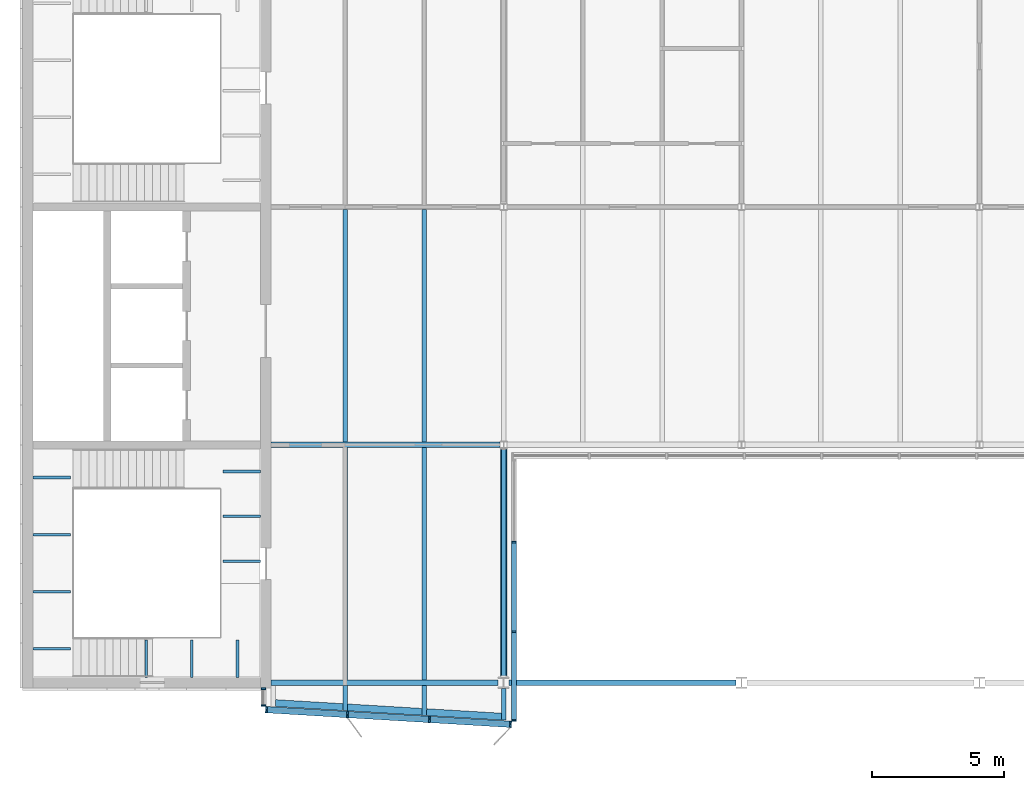
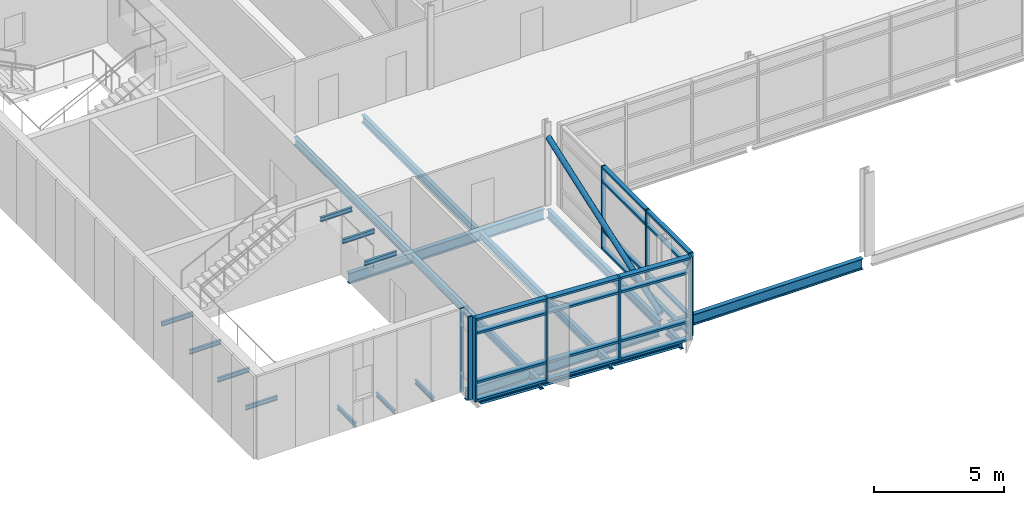
# One storey, part 2 of 20: 30 members, 24 beams, 3 elements without a shape of their own.
"""IFC4 building model written with IfcOpenShell, lengths in metres."""

from ifc_helpers import new_model, si_unit, direction, frame, origin, origin_2d, place, context, subcontext, project, spatial, rectangle, hollow_circle, i_section, extrude, material, material_profile, profile_set, type_object, element, aggregate, save


model = new_model("IFC4")

# Units and contexts
model_context = context("Model", 3, precision=1e-05, world=origin(), true_north=direction((0.0, 1.0)))
body_context = subcontext(model_context, "Body", "Model", "MODEL_VIEW")
ifc_project = project(units=[si_unit("LENGTHUNIT", "METRE"), si_unit("AREAUNIT", "SQUARE_METRE"), si_unit("VOLUMEUNIT", "CUBIC_METRE"), si_unit("PLANEANGLEUNIT", "RADIAN"), si_unit("MASSUNIT", "GRAM", prefix="KILO")], contexts=[model_context])

# Site, building, storey
site_placement = place(None, origin())
site = spatial("IfcSite", under=ifc_project, at=site_placement, CompositionType="ELEMENT")
building_placement = place(site_placement, origin())
building = spatial("IfcBuilding", under=site, at=building_placement, Name="Azimuth Sports and Learning Centre", CompositionType="ELEMENT")
storey_placement = place(building_placement, frame((0.0, 0.0, 71.39990234375)))
storey = spatial("IfcBuildingStorey", under=building, at=storey_placement, Name="L16", CompositionType="ELEMENT", Elevation=71.39990234375)

# Beams
ifc_material_1 = material(Name="Steel S355", Category="steel")
ifc_material_profile_1 = material_profile(ifc_material_1, i_section(OverallWidth=0.10009765625, OverallDepth=0.199951171875, WebThickness=0.005615234375, FlangeThickness=0.008544921875, FilletRadius=0.011962890625, at=origin_2d()), Name="IPE 200")
ifc_profile_set_1 = profile_set([ifc_material_profile_1], Name="Steel S355")
beam_type_1 = type_object("IfcBeamType", Name="Beam IPE 200", PredefinedType="BEAM", material=ifc_profile_set_1)
for number, where, z_axis, x_axis, name in (
    (1, (58.473388671875, 90.199951171875, -0.2998046875), (0.0, 1.0, 0.0), (-1.0, 0.0, 0.0), "Landing bracket W1 L16 159"),
    (2, (60.199951171875, 90.199951171875, -0.2998046875), (0.0, 1.0, 0.0), (-1.0, 0.0, 0.0), "Landing bracket W1 L16 160"),
    (3, (61.9267578125, 90.199951171875, -0.2998046875), (0.0, 1.0, 0.0), (-1.0, 0.0, 0.0), "Landing bracket W1 L16 161"),
    (4, (54.199951171875, 91.288818359375, 1.35009765625), (1.0, 0.0, 0.0), (0.0, 1.0, 0.0), "Landing bracket W1 L16 162"),
    (5, (54.199951171875, 93.4462890625, 1.35009765625), (1.0, 0.0, 0.0), (0.0, 1.0, 0.0), "Landing bracket W1 L16 163"),
    (6, (54.199951171875, 95.603759765625, 1.35009765625), (1.0, 0.0, 0.0), (0.0, 1.0, 0.0), "Landing bracket W1 L16 164"),
    (7, (54.199951171875, 97.76123046875, 1.35009765625), (1.0, 0.0, 0.0), (0.0, 1.0, 0.0), "Landing bracket W1 L16 165"),
    (8, (62.800048828125, 94.598388671875, 3.60009765625), (-1.0, 0.0, 0.0), (0.0, -1.0, 0.0), "Landing bracket W1 L16 166"),
    (9, (62.800048828125, 96.294921875, 3.60009765625), (-1.0, 0.0, 0.0), (0.0, -1.0, 0.0), "Landing bracket W1 L16 167"),
    (10, (62.800048828125, 97.99169921875, 3.60009765625), (-1.0, 0.0, 0.0), (0.0, -1.0, 0.0), "Landing bracket W1 L16 168"),
):
    element("IfcBeam", number, at=place(storey_placement, frame(where, z_axis=z_axis, x_axis=x_axis)), inside=storey, type_object=beam_type_1, Name=name, PredefinedType="BEAM", context=body_context, shape_type="SweptSolid", body=[
        extrude(i_section(OverallWidth=0.10009765625, OverallDepth=0.199951171875, WebThickness=0.005615234375, FlangeThickness=0.008544921875, FilletRadius=0.011962890625, at=origin_2d()), origin(), (0.0, 0.0, 1.0), 1.41015625),
    ])
ifc_material_2 = material(Name="Steel S355", Category="steel")
ifc_material_profile_2 = material_profile(ifc_material_2, i_section(OverallWidth=0.179931640625, OverallDepth=0.39990234375, WebThickness=0.008544921875, FlangeThickness=0.013427734375, FilletRadius=0.02099609375, at=origin_2d()), Name="IPE 400")
ifc_profile_set_2 = profile_set([ifc_material_profile_2], Name="Steel S355")
beam_type_2 = type_object("IfcBeamType", Name="Beam IPE 400", PredefinedType="BEAM", material=ifc_profile_set_2)
beam_1_placement = place(storey_placement, frame((72.0, 90.217529296875, -0.329833984375), z_axis=(0.0, 1.0, 0.0), x_axis=(-1.0, 0.0, 0.0)))
element("IfcBeam", 11, at=beam_1_placement, inside=storey, type_object=beam_type_2, Name="Tower tie", PredefinedType="BEAM", context=body_context, shape_type="SweptSolid", body=[
    extrude(i_section(OverallWidth=0.179931640625, OverallDepth=0.39990234375, WebThickness=0.008544921875, FlangeThickness=0.013427734375, FilletRadius=0.02099609375, at=origin_2d()), origin(), (0.0, 0.0, 1.0), 8.652587890625),
])
ifc_material_3 = material(Name="Steel S355", Category="steel")
ifc_material_profile_3 = material_profile(ifc_material_3, i_section(OverallWidth=0.199951171875, OverallDepth=0.5, WebThickness=0.01025390625, FlangeThickness=0.01611328125, FilletRadius=0.02099609375, at=origin_2d()), Name="IPE 500")
ifc_profile_set_3 = profile_set([ifc_material_profile_3], Name="Steel S355")
beam_type_3 = type_object("IfcBeamType", Name="Beam IPE 500", PredefinedType="BEAM", material=ifc_profile_set_3)
beam_2_placement = place(storey_placement, frame((63.199951171875, 90.0, -0.3798828125), z_axis=(1.0, 0.0, 0.0), x_axis=(0.0, 1.0, 0.0)))
element("IfcBeam", 12, at=beam_2_placement, inside=storey, type_object=beam_type_3, Name="Tower girder L16", PredefinedType="BEAM", context=body_context, shape_type="SweptSolid", body=[
    extrude(i_section(OverallWidth=0.199951171875, OverallDepth=0.5, WebThickness=0.01025390625, FlangeThickness=0.01611328125, FilletRadius=0.02099609375, at=origin_2d()), origin(), (0.0, 0.0, 1.0), 8.593994140625),
])
beam_3_placement = place(storey_placement, frame((72.2060546875, 90.0, -0.3798828125), z_axis=(1.0, 0.0, 0.0), x_axis=(0.0, 1.0, 0.0)))
element("IfcBeam", 13, at=beam_3_placement, inside=storey, type_object=beam_type_3, Name="Tower girder L16", PredefinedType="BEAM", context=body_context, shape_type="SweptSolid", body=[
    extrude(i_section(OverallWidth=0.199951171875, OverallDepth=0.5, WebThickness=0.01025390625, FlangeThickness=0.01611328125, FilletRadius=0.02099609375, at=origin_2d()), origin(), (0.0, 0.0, 1.0), 8.587890625),
])
beam_4_placement = place(storey_placement, frame((63.199951171875, 99.0, -0.3798828125), z_axis=(1.0, 0.0, 0.0), x_axis=(0.0, 1.0, 0.0)))
element("IfcBeam", 14, at=beam_4_placement, inside=storey, type_object=beam_type_3, Name="Tower girder L16", PredefinedType="BEAM", context=body_context, shape_type="SweptSolid", body=[
    extrude(i_section(OverallWidth=0.199951171875, OverallDepth=0.5, WebThickness=0.01025390625, FlangeThickness=0.01611328125, FilletRadius=0.02099609375, at=origin_2d()), origin(), (0.0, 0.0, 1.0), 8.670166015625),
])

# Member
ifc_material_4 = material(Name="Steel S355", Category="steel")
ifc_material_profile_4 = material_profile(ifc_material_4, hollow_circle(Radius=0.122314453125, WallThickness=0.012451171875, at=origin_2d()), Name="CHS 244.5x12.5")
ifc_profile_set_4 = profile_set([ifc_material_profile_4], Name="Steel S355")
member_type_1 = type_object("IfcMemberType", Name="Brace CHS 244.5x12.5", PredefinedType="BRACE", material=ifc_profile_set_4)
member_1_placement = place(storey_placement, frame((72.0, 90.238037109375, 0.169677734375), z_axis=(0.0, 0.943274861537, 0.332012854558), x_axis=(-1.0, 0.0, 0.0)))
element("IfcMember", 15, at=member_1_placement, inside=storey, type_object=member_type_1, Name="Tower brace 9 L16", PredefinedType="BRACE", context=body_context, shape_type="SweptSolid", body=[
    extrude(hollow_circle(Radius=0.122314453125, WallThickness=0.012451171875, at=origin_2d()), origin(), (0.0, 0.0, 1.0), 9.129150390625),
])

# Beams
ifc_material_5 = material(Name="Steel S355", Category="steel")
ifc_material_profile_5 = material_profile(ifc_material_5, i_section(OverallWidth=0.169921875, OverallDepth=0.360107421875, WebThickness=0.008056640625, FlangeThickness=0.0126953125, FilletRadius=0.01806640625, at=origin_2d()), Name="IPE 360")
ifc_profile_set_5 = profile_set([ifc_material_profile_5], Name="Steel S355")
beam_type_4 = type_object("IfcBeamType", Name="Cantilever stub IPE 360", PredefinedType="JOIST", material=ifc_profile_set_5)
beam_5_placement = place(storey_placement, frame((66.0, 89.89990234375, -0.309814453125), z_axis=(0.0, -1.0, 0.0), x_axis=(1.0, 0.0, 0.0)))
element("IfcBeam", 16, at=beam_5_placement, inside=storey, type_object=beam_type_4, Name="Tower cantilever stub", PredefinedType="JOIST", context=body_context, shape_type="SweptSolid", body=[
    extrude(i_section(OverallWidth=0.169921875, OverallDepth=0.360107421875, WebThickness=0.008056640625, FlangeThickness=0.0126953125, FilletRadius=0.01806640625, at=origin_2d()), origin(), (0.0, 0.0, 1.0), 0.9599609375),
])
beam_6_placement = place(storey_placement, frame((69.0, 89.89990234375, -0.309814453125), z_axis=(0.0, -1.0, 0.0), x_axis=(1.0, 0.0, 0.0)))
element("IfcBeam", 17, at=beam_6_placement, inside=storey, type_object=beam_type_4, Name="Tower cantilever stub", PredefinedType="JOIST", context=body_context, shape_type="SweptSolid", body=[
    extrude(i_section(OverallWidth=0.169921875, OverallDepth=0.360107421875, WebThickness=0.008056640625, FlangeThickness=0.0126953125, FilletRadius=0.01806640625, at=origin_2d()), origin(), (0.0, 0.0, 1.0), 1.139892578125),
])
beam_7_placement = place(storey_placement, frame((72.0, 89.782470703125, -0.309814453125), z_axis=(0.0, -1.0, 0.0), x_axis=(1.0, 0.0, 0.0)))
element("IfcBeam", 18, at=beam_7_placement, inside=storey, type_object=beam_type_4, Name="Tower cantilever stub", PredefinedType="JOIST", context=body_context, shape_type="SweptSolid", body=[
    extrude(i_section(OverallWidth=0.169921875, OverallDepth=0.360107421875, WebThickness=0.008056640625, FlangeThickness=0.0126953125, FilletRadius=0.01806640625, at=origin_2d()), origin(), (0.0, 0.0, 1.0), 1.202392578125),
])
ifc_material_6 = material(Name="Steel S355", Category="steel")
ifc_material_profile_6 = material_profile(ifc_material_6, i_section(OverallWidth=0.260009765625, OverallDepth=0.25, WebThickness=0.007568359375, FlangeThickness=0.012451171875, FilletRadius=0.02392578125, at=origin_2d()), Name="HEA 260")
ifc_profile_set_6 = profile_set([ifc_material_profile_6], Name="Steel S355")
beam_type_5 = type_object("IfcBeamType", Name="Edge beam HEA 260", PredefinedType="SPANDREL", material=ifc_profile_set_6)
beam_8_placement = place(storey_placement, frame((63.3701171875, 89.227783203125, -0.2548828125), z_axis=(0.998207363591, -0.059850307199, 0.0), x_axis=(0.059850307199, 0.998207363591, 0.0)))
element("IfcBeam", 19, at=beam_8_placement, inside=storey, type_object=beam_type_5, Name="Tower edge beam", PredefinedType="SPANDREL", context=body_context, shape_type="SweptSolid", body=[
    extrude(i_section(OverallWidth=0.260009765625, OverallDepth=0.25, WebThickness=0.007568359375, FlangeThickness=0.012451171875, FilletRadius=0.02392578125, at=origin_2d()), origin(), (0.0, 0.0, 1.0), 2.549560546875),
])
for number, where, z_axis, x_axis, name in (
    (20, (66.0849609375, 89.06494140625, -0.2548828125), (0.998202373506, -0.059933475842, 0.0), (0.059933475842, 0.998202373506, 0.0), "Tower edge beam"),
    (21, (69.0849609375, 88.885009765625, -0.2548828125), (0.998202373506, -0.059933475842, 0.0), (0.059933475842, 0.998202373506, 0.0), "Tower edge beam"),
):
    element("IfcBeam", number, at=place(storey_placement, frame(where, z_axis=z_axis, x_axis=x_axis)), inside=storey, type_object=beam_type_5, Name=name, PredefinedType="SPANDREL", context=body_context, shape_type="SweptSolid", body=[
        extrude(i_section(OverallWidth=0.260009765625, OverallDepth=0.25, WebThickness=0.007568359375, FlangeThickness=0.012451171875, FilletRadius=0.02392578125, at=origin_2d()), origin(), (0.0, 0.0, 1.0), 2.835205078125),
    ])
ifc_material_7 = material(Name="Steel S355", Category="steel")
ifc_material_profile_7 = material_profile(ifc_material_7, i_section(OverallWidth=0.169921875, OverallDepth=0.360107421875, WebThickness=0.008056640625, FlangeThickness=0.0126953125, FilletRadius=0.01806640625, at=origin_2d()), Name="IPE 360")
ifc_profile_set_7 = profile_set([ifc_material_profile_7], Name="Steel S355")
beam_type_6 = type_object("IfcBeamType", Name="Joist IPE 360", PredefinedType="JOIST", material=ifc_profile_set_7)
for number, where, z_axis, x_axis, name in (
    (22, (66.0, 90.10009765625, -0.309814453125), (0.0, 1.0, 0.0), (-1.0, 0.0, 0.0), "Tower joist"),
    (23, (66.0, 99.10009765625, -0.309814453125), (0.0, 1.0, 0.0), (-1.0, 0.0, 0.0), "Tower joist"),
    (24, (69.0, 90.10009765625, -0.309814453125), (0.0, 1.0, 0.0), (-1.0, 0.0, 0.0), "Tower joist"),
    (25, (69.0, 99.10009765625, -0.309814453125), (0.0, 1.0, 0.0), (-1.0, 0.0, 0.0), "Tower joist"),
):
    element("IfcBeam", number, at=place(storey_placement, frame(where, z_axis=z_axis, x_axis=x_axis)), inside=storey, type_object=beam_type_6, Name=name, PredefinedType="JOIST", context=body_context, shape_type="SweptSolid", body=[
        extrude(i_section(OverallWidth=0.169921875, OverallDepth=0.360107421875, WebThickness=0.008056640625, FlangeThickness=0.0126953125, FilletRadius=0.01806640625, at=origin_2d()), origin(), (0.0, 0.0, 1.0), 8.7998046875),
    ])

# Curtain wall, members
ifc_material_8 = material(Name="Aluminium and glass", Category="aluminium")
curtain_wall_type_1 = type_object("IfcCurtainWallType", Name="Curtain wall tower return 180", PredefinedType="NOTDEFINED", material=ifc_material_8)
curtain_wall_1_placement = place(storey_placement, origin())
curtain_wall_1 = element("IfcCurtainWall", 26, at=curtain_wall_1_placement, inside=storey, type_object=curtain_wall_type_1, Name="Curtain wall CW16-001", PredefinedType="NOTDEFINED")
ifc_material_9 = material(Name="Aluminium", Category="aluminium")
ifc_material_profile_8 = material_profile(ifc_material_9, rectangle(XDim=0.179931640625, YDim=0.06005859375, at=origin_2d()), Name="Mullion 60x180")
ifc_profile_set_8 = profile_set([ifc_material_profile_8], Name="Aluminium")
member_type_2 = type_object("IfcMemberType", Name="Mullion 60x180", PredefinedType="MULLION", material=ifc_profile_set_8)
member_2_placement = place(storey_placement, frame((62.909912109375, 89.77001953125, 0.0), z_axis=(0.0, 0.0, 1.0), x_axis=(1.0, 0.0, 0.0)))
member_2 = element("IfcMember", 27, at=member_2_placement, type_object=member_type_2, Name="CW16-001 mullion 1", PredefinedType="MULLION", context=body_context, shape_type="SweptSolid", body=[
    extrude(rectangle(XDim=0.179931640625, YDim=0.06005859375, at=origin_2d()), origin(), (0.0, 0.0, 1.0), 3.900146484375),
])
member_3_placement = place(storey_placement, frame((62.909912109375, 89.1298828125, 0.0), z_axis=(0.0, 0.0, 1.0), x_axis=(1.0, 0.0, 0.0)))
member_3 = element("IfcMember", 28, at=member_3_placement, type_object=member_type_2, Name="CW16-001 mullion 2", PredefinedType="MULLION", context=body_context, shape_type="SweptSolid", body=[
    extrude(rectangle(XDim=0.179931640625, YDim=0.06005859375, at=origin_2d()), origin(), (0.0, 0.0, 1.0), 3.900146484375),
])
aggregate(curtain_wall_1, [member_2, member_3])

curtain_wall_2_placement = place(storey_placement, origin())
curtain_wall_2 = element("IfcCurtainWall", 29, at=curtain_wall_2_placement, inside=storey, type_object=curtain_wall_type_1, Name="Curtain wall CW16-003", PredefinedType="NOTDEFINED")
member_4_placement = place(storey_placement, frame((72.389892578125, 88.572021484375, 0.0), z_axis=(0.0, 0.0, 1.0), x_axis=(-1.0, 0.0, 0.0)))
member_4 = element("IfcMember", 30, at=member_4_placement, type_object=member_type_2, Name="CW16-003 mullion 1", PredefinedType="MULLION", context=body_context, shape_type="SweptSolid", body=[
    extrude(rectangle(XDim=0.179931640625, YDim=0.06005859375, at=origin_2d()), origin(), (0.0, 0.0, 1.0), 3.900146484375),
])
member_5_placement = place(storey_placement, frame((72.389892578125, 91.927978515625, 0.0), z_axis=(0.0, 0.0, 1.0), x_axis=(-1.0, 0.0, 0.0)))
member_5 = element("IfcMember", 31, at=member_5_placement, type_object=member_type_2, Name="CW16-003 mullion 2", PredefinedType="MULLION", context=body_context, shape_type="SweptSolid", body=[
    extrude(rectangle(XDim=0.179931640625, YDim=0.06005859375, at=origin_2d()), origin(), (0.0, 0.0, 1.0), 3.900146484375),
])
member_6_placement = place(storey_placement, frame((72.389892578125, 95.31396484375, 0.0), z_axis=(0.0, 0.0, 1.0), x_axis=(-1.0, 0.0, 0.0)))
member_6 = element("IfcMember", 32, at=member_6_placement, type_object=member_type_2, Name="CW16-003 mullion 3", PredefinedType="MULLION", context=body_context, shape_type="SweptSolid", body=[
    extrude(rectangle(XDim=0.179931640625, YDim=0.06005859375, at=origin_2d()), origin(), (0.0, 0.0, 1.0), 3.900146484375),
])

ifc_material_10 = material(Name="Aluminium and glass", Category="aluminium")
curtain_wall_type_2 = type_object("IfcCurtainWallType", Name="Curtain wall tower south 240", PredefinedType="NOTDEFINED", material=ifc_material_10)
curtain_wall_3_placement = place(storey_placement, origin())
curtain_wall_3 = element("IfcCurtainWall", 33, at=curtain_wall_3_placement, inside=storey, type_object=curtain_wall_type_2, Name="Curtain wall CW16-002", PredefinedType="NOTDEFINED")
ifc_material_11 = material(Name="Aluminium", Category="aluminium")
ifc_material_profile_9 = material_profile(ifc_material_11, rectangle(XDim=0.239990234375, YDim=0.070068359375, at=origin_2d()), Name="Mullion 70x240")
ifc_profile_set_9 = profile_set([ifc_material_profile_9], Name="Aluminium")
member_type_3 = type_object("IfcMemberType", Name="Mullion 70x240", PredefinedType="MULLION", material=ifc_profile_set_9)
member_7_placement = place(storey_placement, frame((63.02783203125, 88.97802734375, 0.0), z_axis=(0.0, 0.0, 1.0), x_axis=(0.059891991812, 0.998204863401, 0.0)))
member_7 = element("IfcMember", 34, at=member_7_placement, type_object=member_type_3, Name="CW16-002 mullion 1", PredefinedType="MULLION", context=body_context, shape_type="SweptSolid", body=[
    extrude(rectangle(XDim=0.239990234375, YDim=0.070068359375, at=origin_2d()), origin(), (0.0, 0.0, 1.0), 3.900146484375),
])
member_8_placement = place(storey_placement, frame((66.0927734375, 88.794189453125, 0.0), z_axis=(0.0, 0.0, 1.0), x_axis=(0.059891991812, 0.998204863401, 0.0)))
member_8 = element("IfcMember", 35, at=member_8_placement, type_object=member_type_3, Name="CW16-002 mullion 2", PredefinedType="MULLION", context=body_context, shape_type="SweptSolid", body=[
    extrude(rectangle(XDim=0.239990234375, YDim=0.070068359375, at=origin_2d()), origin(), (0.0, 0.0, 1.0), 3.900146484375),
])
member_9_placement = place(storey_placement, frame((69.19287109375, 88.608154296875, 0.0), z_axis=(0.0, 0.0, 1.0), x_axis=(0.059891991812, 0.998204863401, 0.0)))
member_9 = element("IfcMember", 36, at=member_9_placement, type_object=member_type_3, Name="CW16-002 mullion 3", PredefinedType="MULLION", context=body_context, shape_type="SweptSolid", body=[
    extrude(rectangle(XDim=0.239990234375, YDim=0.070068359375, at=origin_2d()), origin(), (0.0, 0.0, 1.0), 3.900146484375),
])
member_10_placement = place(storey_placement, frame((72.2578125, 88.42431640625, 0.0), z_axis=(0.0, 0.0, 1.0), x_axis=(0.059891991812, 0.998204863401, 0.0)))
member_10 = element("IfcMember", 37, at=member_10_placement, type_object=member_type_3, Name="CW16-002 mullion 4", PredefinedType="MULLION", context=body_context, shape_type="SweptSolid", body=[
    extrude(rectangle(XDim=0.239990234375, YDim=0.070068359375, at=origin_2d()), origin(), (0.0, 0.0, 1.0), 3.900146484375),
])

# Member
ifc_material_12 = material(Name="Aluminium", Category="aluminium")
ifc_material_profile_10 = material_profile(ifc_material_12, rectangle(XDim=0.179931640625, YDim=0.10009765625, at=origin_2d()), Name="Transom 100x180")
ifc_profile_set_10 = profile_set([ifc_material_profile_10], Name="Aluminium")
member_type_4 = type_object("IfcMemberType", Name="Transom 100x180", PredefinedType="USERDEFINED", material=ifc_profile_set_10)
member_11_placement = place(storey_placement, frame((72.389892578125, 88.60205078125, 0.050048828125), z_axis=(0.0, 1.0, 0.0), x_axis=(-1.0, 0.0, 0.0)))
member_11 = element("IfcMember", 38, at=member_11_placement, type_object=member_type_4, Name="CW16-003 transom 1.1", ObjectType="TRANSOM", PredefinedType="USERDEFINED", context=body_context, shape_type="SweptSolid", body=[
    extrude(rectangle(XDim=0.179931640625, YDim=0.10009765625, at=origin_2d()), origin(), (0.0, 0.0, 1.0), 3.2958984375),
])

member_12_placement = place(storey_placement, frame((72.389892578125, 88.60205078125, 0.900146484375), z_axis=(0.0, 1.0, 0.0), x_axis=(-1.0, 0.0, 0.0)))
member_12 = element("IfcMember", 39, at=member_12_placement, type_object=member_type_4, Name="CW16-003 transom 1.2", ObjectType="TRANSOM", PredefinedType="USERDEFINED", context=body_context, shape_type="SweptSolid", body=[
    extrude(rectangle(XDim=0.179931640625, YDim=0.10009765625, at=origin_2d()), origin(), (0.0, 0.0, 1.0), 3.2958984375),
])

member_13_placement = place(storey_placement, frame((72.389892578125, 88.60205078125, 3.2001953125), z_axis=(0.0, 1.0, 0.0), x_axis=(-1.0, 0.0, 0.0)))
member_13 = element("IfcMember", 40, at=member_13_placement, type_object=member_type_4, Name="CW16-003 transom 1.3", ObjectType="TRANSOM", PredefinedType="USERDEFINED", context=body_context, shape_type="SweptSolid", body=[
    extrude(rectangle(XDim=0.179931640625, YDim=0.10009765625, at=origin_2d()), origin(), (0.0, 0.0, 1.0), 3.2958984375),
])

member_14_placement = place(storey_placement, frame((72.389892578125, 88.60205078125, 3.85009765625), z_axis=(0.0, 1.0, 0.0), x_axis=(-1.0, 0.0, 0.0)))
member_14 = element("IfcMember", 41, at=member_14_placement, type_object=member_type_4, Name="CW16-003 transom 1.4", ObjectType="TRANSOM", PredefinedType="USERDEFINED", context=body_context, shape_type="SweptSolid", body=[
    extrude(rectangle(XDim=0.179931640625, YDim=0.10009765625, at=origin_2d()), origin(), (0.0, 0.0, 1.0), 3.2958984375),
])

member_15_placement = place(storey_placement, frame((72.389892578125, 91.9580078125, 0.050048828125), z_axis=(0.0, 1.0, 0.0), x_axis=(-1.0, 0.0, 0.0)))
member_15 = element("IfcMember", 42, at=member_15_placement, type_object=member_type_4, Name="CW16-003 transom 2.1", ObjectType="TRANSOM", PredefinedType="USERDEFINED", context=body_context, shape_type="SweptSolid", body=[
    extrude(rectangle(XDim=0.179931640625, YDim=0.10009765625, at=origin_2d()), origin(), (0.0, 0.0, 1.0), 3.325927734375),
])

member_16_placement = place(storey_placement, frame((72.389892578125, 91.9580078125, 0.900146484375), z_axis=(0.0, 1.0, 0.0), x_axis=(-1.0, 0.0, 0.0)))
member_16 = element("IfcMember", 43, at=member_16_placement, type_object=member_type_4, Name="CW16-003 transom 2.2", ObjectType="TRANSOM", PredefinedType="USERDEFINED", context=body_context, shape_type="SweptSolid", body=[
    extrude(rectangle(XDim=0.179931640625, YDim=0.10009765625, at=origin_2d()), origin(), (0.0, 0.0, 1.0), 3.325927734375),
])

member_17_placement = place(storey_placement, frame((72.389892578125, 91.9580078125, 3.2001953125), z_axis=(0.0, 1.0, 0.0), x_axis=(-1.0, 0.0, 0.0)))
member_17 = element("IfcMember", 44, at=member_17_placement, type_object=member_type_4, Name="CW16-003 transom 2.3", ObjectType="TRANSOM", PredefinedType="USERDEFINED", context=body_context, shape_type="SweptSolid", body=[
    extrude(rectangle(XDim=0.179931640625, YDim=0.10009765625, at=origin_2d()), origin(), (0.0, 0.0, 1.0), 3.325927734375),
])

member_18_placement = place(storey_placement, frame((72.389892578125, 91.9580078125, 3.85009765625), z_axis=(0.0, 1.0, 0.0), x_axis=(-1.0, 0.0, 0.0)))
member_18 = element("IfcMember", 45, at=member_18_placement, type_object=member_type_4, Name="CW16-003 transom 2.4", ObjectType="TRANSOM", PredefinedType="USERDEFINED", context=body_context, shape_type="SweptSolid", body=[
    extrude(rectangle(XDim=0.179931640625, YDim=0.10009765625, at=origin_2d()), origin(), (0.0, 0.0, 1.0), 3.325927734375),
])

aggregate(curtain_wall_2, [member_4, member_5, member_6, member_11, member_12, member_13, member_14, member_15, member_16, member_17, member_18])

ifc_material_13 = material(Name="Aluminium", Category="aluminium")
ifc_material_profile_11 = material_profile(ifc_material_13, rectangle(XDim=0.239990234375, YDim=0.10009765625, at=origin_2d()), Name="Transom 100x240")
ifc_profile_set_11 = profile_set([ifc_material_profile_11], Name="Aluminium")
member_type_5 = type_object("IfcMemberType", Name="Transom 100x240", PredefinedType="USERDEFINED", material=ifc_profile_set_11)
member_19_placement = place(storey_placement, frame((63.062744140625, 88.97607421875, 0.050048828125), z_axis=(0.998205234603, -0.05988580475, 0.0), x_axis=(0.05988580475, 0.998205234603, 0.0)))
member_19 = element("IfcMember", 46, at=member_19_placement, type_object=member_type_5, Name="CW16-002 transom 1.1", ObjectType="TRANSOM", PredefinedType="USERDEFINED", context=body_context, shape_type="SweptSolid", body=[
    extrude(rectangle(XDim=0.239990234375, YDim=0.10009765625, at=origin_2d()), origin(), (0.0, 0.0, 1.0), 3.00048828125),
])

member_20_placement = place(storey_placement, frame((63.062744140625, 88.97607421875, 0.900146484375), z_axis=(0.998205234603, -0.05988580475, 0.0), x_axis=(0.05988580475, 0.998205234603, 0.0)))
member_20 = element("IfcMember", 47, at=member_20_placement, type_object=member_type_5, Name="CW16-002 transom 1.2", ObjectType="TRANSOM", PredefinedType="USERDEFINED", context=body_context, shape_type="SweptSolid", body=[
    extrude(rectangle(XDim=0.239990234375, YDim=0.10009765625, at=origin_2d()), origin(), (0.0, 0.0, 1.0), 3.00048828125),
])

member_21_placement = place(storey_placement, frame((63.062744140625, 88.97607421875, 3.2001953125), z_axis=(0.998205234603, -0.05988580475, 0.0), x_axis=(0.05988580475, 0.998205234603, 0.0)))
member_21 = element("IfcMember", 48, at=member_21_placement, type_object=member_type_5, Name="CW16-002 transom 1.3", ObjectType="TRANSOM", PredefinedType="USERDEFINED", context=body_context, shape_type="SweptSolid", body=[
    extrude(rectangle(XDim=0.239990234375, YDim=0.10009765625, at=origin_2d()), origin(), (0.0, 0.0, 1.0), 3.00048828125),
])

member_22_placement = place(storey_placement, frame((63.062744140625, 88.97607421875, 3.85009765625), z_axis=(0.998205234603, -0.05988580475, 0.0), x_axis=(0.05988580475, 0.998205234603, 0.0)))
member_22 = element("IfcMember", 49, at=member_22_placement, type_object=member_type_5, Name="CW16-002 transom 1.4", ObjectType="TRANSOM", PredefinedType="USERDEFINED", context=body_context, shape_type="SweptSolid", body=[
    extrude(rectangle(XDim=0.239990234375, YDim=0.10009765625, at=origin_2d()), origin(), (0.0, 0.0, 1.0), 3.00048828125),
])

member_23_placement = place(storey_placement, frame((66.127685546875, 88.792236328125, 0.050048828125), z_axis=(0.998203498963, -0.059914728225, 0.0), x_axis=(0.059914728225, 0.998203498963, 0.0)))
member_23 = element("IfcMember", 50, at=member_23_placement, type_object=member_type_5, Name="CW16-002 transom 2.1", ObjectType="TRANSOM", PredefinedType="USERDEFINED", context=body_context, shape_type="SweptSolid", body=[
    extrude(rectangle(XDim=0.239990234375, YDim=0.10009765625, at=origin_2d()), origin(), (0.0, 0.0, 1.0), 3.03564453125),
])

member_24_placement = place(storey_placement, frame((66.127685546875, 88.792236328125, 0.900146484375), z_axis=(0.998203498963, -0.059914728225, 0.0), x_axis=(0.059914728225, 0.998203498963, 0.0)))
member_24 = element("IfcMember", 51, at=member_24_placement, type_object=member_type_5, Name="CW16-002 transom 2.2", ObjectType="TRANSOM", PredefinedType="USERDEFINED", context=body_context, shape_type="SweptSolid", body=[
    extrude(rectangle(XDim=0.239990234375, YDim=0.10009765625, at=origin_2d()), origin(), (0.0, 0.0, 1.0), 3.03564453125),
])

member_25_placement = place(storey_placement, frame((66.127685546875, 88.792236328125, 3.2001953125), z_axis=(0.998203498963, -0.059914728225, 0.0), x_axis=(0.059914728225, 0.998203498963, 0.0)))
member_25 = element("IfcMember", 52, at=member_25_placement, type_object=member_type_5, Name="CW16-002 transom 2.3", ObjectType="TRANSOM", PredefinedType="USERDEFINED", context=body_context, shape_type="SweptSolid", body=[
    extrude(rectangle(XDim=0.239990234375, YDim=0.10009765625, at=origin_2d()), origin(), (0.0, 0.0, 1.0), 3.03564453125),
])

member_26_placement = place(storey_placement, frame((66.127685546875, 88.792236328125, 3.85009765625), z_axis=(0.998203498963, -0.059914728225, 0.0), x_axis=(0.059914728225, 0.998203498963, 0.0)))
member_26 = element("IfcMember", 53, at=member_26_placement, type_object=member_type_5, Name="CW16-002 transom 2.4", ObjectType="TRANSOM", PredefinedType="USERDEFINED", context=body_context, shape_type="SweptSolid", body=[
    extrude(rectangle(XDim=0.239990234375, YDim=0.10009765625, at=origin_2d()), origin(), (0.0, 0.0, 1.0), 3.03564453125),
])

member_27_placement = place(storey_placement, frame((69.227783203125, 88.606201171875, 0.050048828125), z_axis=(0.998205234603, -0.05988580475, 0.0), x_axis=(0.05988580475, 0.998205234603, 0.0)))
member_27 = element("IfcMember", 54, at=member_27_placement, type_object=member_type_5, Name="CW16-002 transom 3.1", ObjectType="TRANSOM", PredefinedType="USERDEFINED", context=body_context, shape_type="SweptSolid", body=[
    extrude(rectangle(XDim=0.239990234375, YDim=0.10009765625, at=origin_2d()), origin(), (0.0, 0.0, 1.0), 3.00048828125),
])

member_28_placement = place(storey_placement, frame((69.227783203125, 88.606201171875, 0.900146484375), z_axis=(0.998205234603, -0.05988580475, 0.0), x_axis=(0.05988580475, 0.998205234603, 0.0)))
member_28 = element("IfcMember", 55, at=member_28_placement, type_object=member_type_5, Name="CW16-002 transom 3.2", ObjectType="TRANSOM", PredefinedType="USERDEFINED", context=body_context, shape_type="SweptSolid", body=[
    extrude(rectangle(XDim=0.239990234375, YDim=0.10009765625, at=origin_2d()), origin(), (0.0, 0.0, 1.0), 3.00048828125),
])

member_29_placement = place(storey_placement, frame((69.227783203125, 88.606201171875, 3.2001953125), z_axis=(0.998205234603, -0.05988580475, 0.0), x_axis=(0.05988580475, 0.998205234603, 0.0)))
member_29 = element("IfcMember", 56, at=member_29_placement, type_object=member_type_5, Name="CW16-002 transom 3.3", ObjectType="TRANSOM", PredefinedType="USERDEFINED", context=body_context, shape_type="SweptSolid", body=[
    extrude(rectangle(XDim=0.239990234375, YDim=0.10009765625, at=origin_2d()), origin(), (0.0, 0.0, 1.0), 3.00048828125),
])

member_30_placement = place(storey_placement, frame((69.227783203125, 88.606201171875, 3.85009765625), z_axis=(0.998205234603, -0.05988580475, 0.0), x_axis=(0.05988580475, 0.998205234603, 0.0)))
member_30 = element("IfcMember", 57, at=member_30_placement, type_object=member_type_5, Name="CW16-002 transom 3.4", ObjectType="TRANSOM", PredefinedType="USERDEFINED", context=body_context, shape_type="SweptSolid", body=[
    extrude(rectangle(XDim=0.239990234375, YDim=0.10009765625, at=origin_2d()), origin(), (0.0, 0.0, 1.0), 3.00048828125),
])

aggregate(curtain_wall_3, [member_7, member_8, member_9, member_10, member_19, member_20, member_21, member_22, member_23, member_24, member_25, member_26, member_27, member_28, member_29, member_30])

save(model, "model.ifc")
